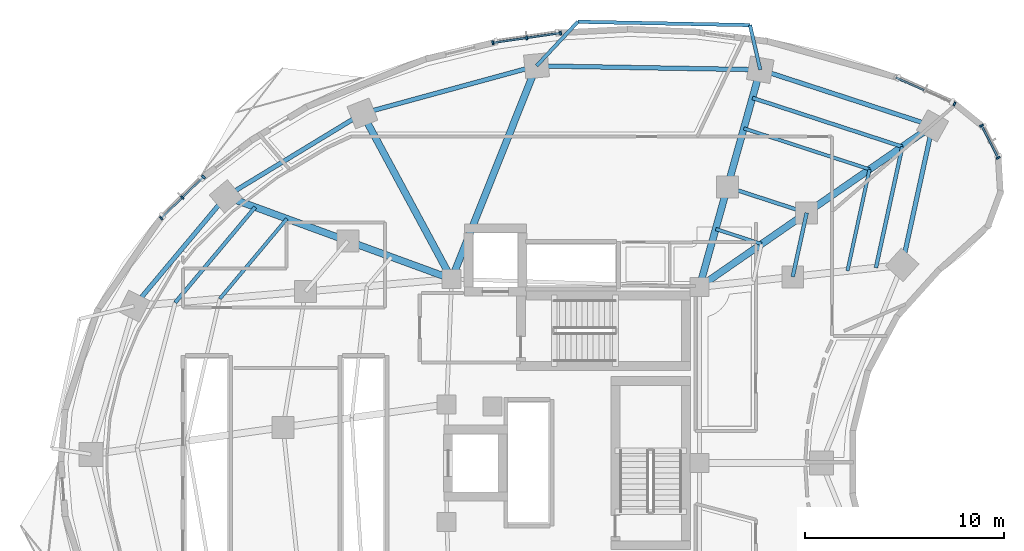
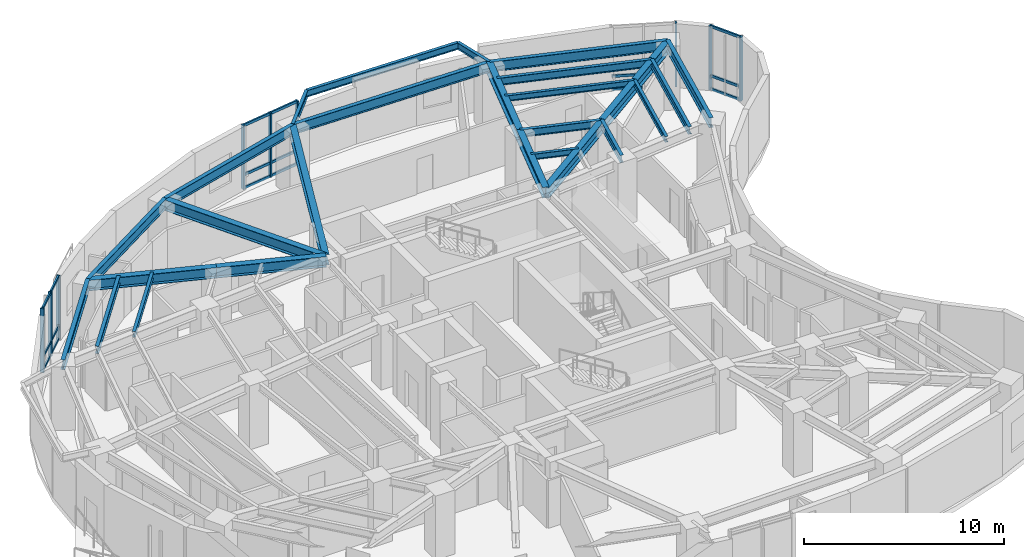
# One storey, part 4 of 13: 26 beams, 26 members, 4 elements without a shape of their own.
"""IFC4 building model written with IfcOpenShell, lengths in metres."""

from ifc_helpers import new_model, si_unit, direction, frame, origin, origin_2d, place, context, subcontext, project, spatial, rectangle, i_section, extrude, material, layer, layer_set, material_profile, profile_set, type_object, element, aggregate, save


model = new_model("IFC4")

# Units and contexts
model_context = context("Model", 3, precision=1e-05, world=origin(), true_north=direction((0.0, 1.0)))
body_context = subcontext(model_context, "Body", "Model", "MODEL_VIEW")
ifc_project = project(units=[si_unit("LENGTHUNIT", "METRE"), si_unit("AREAUNIT", "SQUARE_METRE"), si_unit("VOLUMEUNIT", "CUBIC_METRE"), si_unit("PLANEANGLEUNIT", "RADIAN"), si_unit("MASSUNIT", "GRAM", prefix="KILO")], contexts=[model_context])

# Site, building, storey
site_placement = place(None, origin())
site = spatial("IfcSite", under=ifc_project, at=site_placement, CompositionType="ELEMENT")
building_placement = place(site_placement, origin())
building = spatial("IfcBuilding", under=site, at=building_placement, Name="Korentha Bioscience Tower", CompositionType="ELEMENT")
storey_placement = place(building_placement, frame((0.0, 0.0, 106.800048828125)))
storey = spatial("IfcBuildingStorey", under=building, at=storey_placement, Name="L24", CompositionType="ELEMENT", Elevation=106.800048828125)

# Beams
ifc_material_1 = material(Name="Steel S355", Category="steel")
ifc_material_profile_1 = material_profile(ifc_material_1, i_section(OverallWidth=0.18994140625, OverallDepth=0.45703125, WebThickness=0.009033203125, FlangeThickness=0.014404296875, at=origin_2d()), Name="Steel S355")
ifc_profile_set_1 = profile_set([ifc_material_profile_1], Name="Steel S355 (MB-460)")
beam_type_1 = type_object("IfcBeamType", Name="Mid-Ring Tie Girder W460x74", PredefinedType="BEAM", material=ifc_profile_set_1)
beam_1_placement = place(storey_placement, frame((42.93603515625, 39.57470703125, 3.67138671875), z_axis=(-0.95087582253, 0.309572560361, 0.0), x_axis=(-0.309572560361, -0.95087582253, 0.0)))
element("IfcBeam", 1, at=beam_1_placement, inside=storey, type_object=beam_type_1, Name="L24 Mid-Ring Tie Girder 01", PredefinedType="BEAM", context=body_context, shape_type="SweptSolid", body=[
    extrude(i_section(OverallWidth=0.18994140625, OverallDepth=0.45703125, WebThickness=0.009033203125, FlangeThickness=0.014404296875, at=origin_2d()), origin(), (0.0, 0.0, 1.0), 4.186767578125),
])
beam_2_placement = place(storey_placement, frame((42.235595703125, 36.360595703125, 3.67138671875), z_axis=(0.212928773299, 0.977067724112, 0.0), x_axis=(-0.977067724112, 0.212928773299, 0.0)))
element("IfcBeam", 2, at=beam_2_placement, inside=storey, type_object=beam_type_1, Name="L24 Mid-Ring Tie Girder 16", PredefinedType="BEAM", context=body_context, shape_type="SweptSolid", body=[
    extrude(i_section(OverallWidth=0.18994140625, OverallDepth=0.45703125, WebThickness=0.009033203125, FlangeThickness=0.014404296875, at=origin_2d()), origin(), (0.0, 0.0, 1.0), 3.28955078125),
])

# Curtain wall, member
ifc_material_2 = material(Name="Thermally Broken Aluminium Frame", Category="aluminium")
ifc_layer = layer(ifc_material_2, 0.219970703125, Name="Thermally Broken Aluminium Frame")
ifc_layer_set = layer_set([ifc_layer], Name="Thermally Broken Aluminium Frame (CW-T2)")
curtain_wall_type = type_object("IfcCurtainWallType", Name="Solar-Screened Lab Unitised Curtain Wall CW-T2", PredefinedType="USERDEFINED", material=ifc_layer_set)
curtain_wall_1_placement = place(storey_placement, origin())
curtain_wall_1 = element("IfcCurtainWall", 3, at=curtain_wall_1_placement, inside=storey, type_object=curtain_wall_type, Name="L24 Curtain Wall 01", ObjectType="UNITISED", PredefinedType="USERDEFINED")
ifc_material_3 = material(Name="Anodised Aluminium 6063-T6", Category="aluminium")
ifc_material_profile_2 = material_profile(ifc_material_3, rectangle(XDim=0.090087890625, YDim=0.199951171875, at=origin_2d()), Name="Anodised Aluminium 6063-T6")
ifc_profile_set_2 = profile_set([ifc_material_profile_2], Name="Anodised Aluminium 6063-T6 (CW-MUL)")
member_type_1 = type_object("IfcMemberType", Name="Mullion RECT 90x200", PredefinedType="MULLION", material=ifc_profile_set_2)
member_1_placement = place(storey_placement, frame((50.364013671875, 45.0517578125, 0.0), z_axis=(0.0, 0.0, 1.0), x_axis=(-0.912686563127, 0.408660295952, 0.0)))
member_1 = element("IfcMember", 4, at=member_1_placement, type_object=member_type_1, Name="CW-L24-01 Mullion 1", PredefinedType="MULLION", context=body_context, shape_type="SweptSolid", body=[
    extrude(rectangle(XDim=0.090087890625, YDim=0.199951171875, at=origin_2d()), origin(), (0.0, 0.0, 1.0), 3.89990234375),
])

# Curtain wall, members
curtain_wall_2_placement = place(storey_placement, origin())
curtain_wall_2 = element("IfcCurtainWall", 5, at=curtain_wall_2_placement, inside=storey, type_object=curtain_wall_type, Name="L24 Curtain Wall 07", ObjectType="UNITISED", PredefinedType="USERDEFINED")
member_2_placement = place(storey_placement, frame((30.576416015625, 48.609375, 0.0), z_axis=(0.0, 0.0, 1.0), x_axis=(-0.989738282326, -0.14289203091, 0.0)))
member_2 = element("IfcMember", 6, at=member_2_placement, type_object=member_type_1, Name="CW-L24-07 Mullion 1", PredefinedType="MULLION", context=body_context, shape_type="SweptSolid", body=[
    extrude(rectangle(XDim=0.090087890625, YDim=0.199951171875, at=origin_2d()), origin(), (0.0, 0.0, 1.0), 3.89990234375),
])
member_3_placement = place(storey_placement, frame((28.873291015625, 48.363525390625, 0.0), z_axis=(0.0, 0.0, 1.0), x_axis=(-0.989738282326, -0.14289203091, 0.0)))
member_3 = element("IfcMember", 7, at=member_3_placement, type_object=member_type_1, Name="CW-L24-07 Mullion 2", PredefinedType="MULLION", context=body_context, shape_type="SweptSolid", body=[
    extrude(rectangle(XDim=0.090087890625, YDim=0.199951171875, at=origin_2d()), origin(), (0.0, 0.0, 1.0), 3.89990234375),
])
member_4_placement = place(storey_placement, frame((27.170166015625, 48.11767578125, 0.0), z_axis=(0.0, 0.0, 1.0), x_axis=(-0.989738282326, -0.14289203091, 0.0)))
member_4 = element("IfcMember", 8, at=member_4_placement, type_object=member_type_1, Name="CW-L24-07 Mullion 3", PredefinedType="MULLION", context=body_context, shape_type="SweptSolid", body=[
    extrude(rectangle(XDim=0.090087890625, YDim=0.199951171875, at=origin_2d()), origin(), (0.0, 0.0, 1.0), 3.89990234375),
])

curtain_wall_3_placement = place(storey_placement, origin())
curtain_wall_3 = element("IfcCurtainWall", 9, at=curtain_wall_3_placement, inside=storey, type_object=curtain_wall_type, Name="L24 Curtain Wall 13", ObjectType="UNITISED", PredefinedType="USERDEFINED")
member_5_placement = place(storey_placement, frame((12.631103515625, 41.377197265625, 0.0), z_axis=(0.0, 0.0, 1.0), x_axis=(-0.716095631804, -0.698002182025, 0.0)))
member_5 = element("IfcMember", 10, at=member_5_placement, type_object=member_type_1, Name="CW-L24-13 Mullion 1", PredefinedType="MULLION", context=body_context, shape_type="SweptSolid", body=[
    extrude(rectangle(XDim=0.090087890625, YDim=0.199951171875, at=origin_2d()), origin(), (0.0, 0.0, 1.0), 3.89990234375),
])
member_6_placement = place(storey_placement, frame((11.56689453125, 40.340087890625, 0.0), z_axis=(0.0, 0.0, 1.0), x_axis=(-0.716095631804, -0.698002182025, 0.0)))
member_6 = element("IfcMember", 11, at=member_6_placement, type_object=member_type_1, Name="CW-L24-13 Mullion 2", PredefinedType="MULLION", context=body_context, shape_type="SweptSolid", body=[
    extrude(rectangle(XDim=0.090087890625, YDim=0.199951171875, at=origin_2d()), origin(), (0.0, 0.0, 1.0), 3.89990234375),
])
member_7_placement = place(storey_placement, frame((10.5029296875, 39.302734375, 0.0), z_axis=(0.0, 0.0, 1.0), x_axis=(-0.716095631804, -0.698002182025, 0.0)))
member_7 = element("IfcMember", 12, at=member_7_placement, type_object=member_type_1, Name="CW-L24-13 Mullion 3", PredefinedType="MULLION", context=body_context, shape_type="SweptSolid", body=[
    extrude(rectangle(XDim=0.090087890625, YDim=0.199951171875, at=origin_2d()), origin(), (0.0, 0.0, 1.0), 3.89990234375),
])

curtain_wall_4_placement = place(storey_placement, origin())
curtain_wall_4 = element("IfcCurtainWall", 13, at=curtain_wall_4_placement, inside=storey, type_object=curtain_wall_type, Name="L24 Curtain Wall 61", ObjectType="UNITISED", PredefinedType="USERDEFINED")
member_8_placement = place(storey_placement, frame((52.55859375, 42.337158203125, 0.0), z_axis=(0.0, 0.0, 1.0), x_axis=(-0.457613117169, 0.889151412862, 0.0)))
member_8 = element("IfcMember", 14, at=member_8_placement, type_object=member_type_1, Name="CW-L24-61 Mullion 1", PredefinedType="MULLION", context=body_context, shape_type="SweptSolid", body=[
    extrude(rectangle(XDim=0.090087890625, YDim=0.199951171875, at=origin_2d()), origin(), (0.0, 0.0, 1.0), 3.89990234375),
])
member_9_placement = place(storey_placement, frame((51.722412109375, 43.962158203125, 0.0), z_axis=(0.0, 0.0, 1.0), x_axis=(-0.457613117169, 0.889151412862, 0.0)))
member_9 = element("IfcMember", 15, at=member_9_placement, type_object=member_type_1, Name="CW-L24-61 Mullion 2", PredefinedType="MULLION", context=body_context, shape_type="SweptSolid", body=[
    extrude(rectangle(XDim=0.090087890625, YDim=0.199951171875, at=origin_2d()), origin(), (0.0, 0.0, 1.0), 3.89990234375),
])

# Beams
ifc_material_profile_3 = material_profile(ifc_material_1, i_section(OverallWidth=0.22802734375, OverallDepth=0.60791015625, WebThickness=0.01123046875, FlangeThickness=0.017333984375, at=origin_2d()), Name="Steel S355")
ifc_profile_set_3 = profile_set([ifc_material_profile_3], Name="Steel S355 (SB-610)")
beam_type_2 = type_object("IfcBeamType", Name="Perimeter Ring Spandrel Girder W610x113", PredefinedType="SPANDREL", material=ifc_profile_set_3)
beam_3_placement = place(storey_placement, frame((49.2587890625, 43.947021484375, 3.595947265625), z_axis=(-0.950867758759, 0.309597327755, 0.0), x_axis=(-0.309597327755, -0.950867758759, 0.0)))
element("IfcBeam", 16, at=beam_3_placement, inside=storey, type_object=beam_type_2, Name="L24 Perimeter Spandrel Girder 01", PredefinedType="SPANDREL", context=body_context, shape_type="SweptSolid", body=[
    extrude(i_section(OverallWidth=0.22802734375, OverallDepth=0.60791015625, WebThickness=0.01123046875, FlangeThickness=0.017333984375, at=origin_2d()), origin(), (0.0, 0.0, 1.0), 9.101806640625),
])
beam_4_placement = place(storey_placement, frame((40.604248046875, 46.764892578125, 3.595947265625), z_axis=(-0.999850566826, 0.017287105523, 0.0), x_axis=(-0.017287105523, -0.999850566826, 0.0)))
element("IfcBeam", 17, at=beam_4_placement, inside=storey, type_object=beam_type_2, Name="L24 Perimeter Spandrel Girder 02", PredefinedType="SPANDREL", context=body_context, shape_type="SweptSolid", body=[
    extrude(i_section(OverallWidth=0.22802734375, OverallDepth=0.60791015625, WebThickness=0.01123046875, FlangeThickness=0.017333984375, at=origin_2d()), origin(), (0.0, 0.0, 1.0), 11.24169921875),
])
beam_5_placement = place(storey_placement, frame((29.3642578125, 46.959228515625, 3.595947265625), z_axis=(-0.964659386444, -0.263500034431, 0.0), x_axis=(0.263500034431, -0.964659386444, 0.0)))
element("IfcBeam", 18, at=beam_5_placement, inside=storey, type_object=beam_type_2, Name="L24 Perimeter Spandrel Girder 03", PredefinedType="SPANDREL", context=body_context, shape_type="SweptSolid", body=[
    extrude(i_section(OverallWidth=0.22802734375, OverallDepth=0.60791015625, WebThickness=0.01123046875, FlangeThickness=0.017333984375, at=origin_2d()), origin(), (0.0, 0.0, 1.0), 9.06982421875),
])
beam_6_placement = place(storey_placement, frame((20.614990234375, 44.5693359375, 3.595947265625), z_axis=(-0.854461040474, -0.51951547649, 0.0), x_axis=(0.51951547649, -0.854461040474, 0.0)))
element("IfcBeam", 19, at=beam_6_placement, inside=storey, type_object=beam_type_2, Name="L24 Perimeter Spandrel Girder 04", PredefinedType="SPANDREL", context=body_context, shape_type="SweptSolid", body=[
    extrude(i_section(OverallWidth=0.22802734375, OverallDepth=0.60791015625, WebThickness=0.01123046875, FlangeThickness=0.017333984375, at=origin_2d()), origin(), (0.0, 0.0, 1.0), 8.025146484375),
])
beam_7_placement = place(storey_placement, frame((13.7578125, 40.400146484375, 3.595947265625), z_axis=(-0.642126556076, -0.76659864726, 0.0), x_axis=(0.76659864726, -0.642126556076, 0.0)))
element("IfcBeam", 20, at=beam_7_placement, inside=storey, type_object=beam_type_2, Name="L24 Perimeter Spandrel Girder 05", PredefinedType="SPANDREL", context=body_context, shape_type="SweptSolid", body=[
    extrude(i_section(OverallWidth=0.22802734375, OverallDepth=0.60791015625, WebThickness=0.01123046875, FlangeThickness=0.017333984375, at=origin_2d()), origin(), (0.0, 0.0, 1.0), 7.1884765625),
])
beam_8_placement = place(storey_placement, frame((47.736083984375, 36.959716796875, 3.595947265625), z_axis=(0.212927102256, 0.977068088275, 0.0), x_axis=(-0.977068088275, 0.212927102256, 0.0)))
element("IfcBeam", 21, at=beam_8_placement, inside=storey, type_object=beam_type_2, Name="L24 Perimeter Spandrel Girder 16", PredefinedType="SPANDREL", context=body_context, shape_type="SweptSolid", body=[
    extrude(i_section(OverallWidth=0.22802734375, OverallDepth=0.60791015625, WebThickness=0.01123046875, FlangeThickness=0.017333984375, at=origin_2d()), origin(), (0.0, 0.0, 1.0), 7.1513671875),
])
ifc_material_profile_4 = material_profile(ifc_material_1, i_section(OverallWidth=0.18994140625, OverallDepth=0.45703125, WebThickness=0.009033203125, FlangeThickness=0.014404296875, at=origin_2d()), Name="Steel S355")
ifc_profile_set_4 = profile_set([ifc_material_profile_4], Name="Steel S355 (RB-460)")
beam_type_3 = type_object("IfcBeamType", Name="Radial Laboratory Beam W460x74", PredefinedType="BEAM", material=ifc_profile_set_4)
beam_9_placement = place(storey_placement, frame((47.7412109375, 42.8974609375, 3.67138671875), z_axis=(-0.950866789802, 0.3096003037, 0.0), x_axis=(-0.3096003037, -0.950866789802, 0.0)))
element("IfcBeam", 22, at=beam_9_placement, inside=storey, type_object=beam_type_3, Name="L24 Secondary Floor Beam JSTO-01", PredefinedType="BEAM", context=body_context, shape_type="SweptSolid", body=[
    extrude(i_section(OverallWidth=0.18994140625, OverallDepth=0.45703125, WebThickness=0.009033203125, FlangeThickness=0.014404296875, at=origin_2d()), origin(), (0.0, 0.0, 1.0), 7.921875),
])
beam_10_placement = place(storey_placement, frame((15.227783203125, 39.8623046875, 3.67138671875), z_axis=(-0.642128156066, -0.766597307057, 0.0), x_axis=(0.766597307057, -0.642128156066, 0.0)))
element("IfcBeam", 23, at=beam_10_placement, inside=storey, type_object=beam_type_3, Name="L24 Secondary Floor Beam JSTO-05", PredefinedType="BEAM", context=body_context, shape_type="SweptSolid", body=[
    extrude(i_section(OverallWidth=0.18994140625, OverallDepth=0.45703125, WebThickness=0.009033203125, FlangeThickness=0.014404296875, at=origin_2d()), origin(), (0.0, 0.0, 1.0), 6.257080078125),
])
beam_11_placement = place(storey_placement, frame((46.416015625, 36.81591796875, 3.67138671875), z_axis=(0.21290837934, 0.977072168269, 0.0), x_axis=(-0.977072168269, 0.21290837934, 0.0)))
element("IfcBeam", 24, at=beam_11_placement, inside=storey, type_object=beam_type_3, Name="L24 Secondary Floor Beam JSTO-16", PredefinedType="BEAM", context=body_context, shape_type="SweptSolid", body=[
    extrude(i_section(OverallWidth=0.18994140625, OverallDepth=0.45703125, WebThickness=0.009033203125, FlangeThickness=0.014404296875, at=origin_2d()), origin(), (0.0, 0.0, 1.0), 6.224365234375),
])
ifc_material_profile_5 = material_profile(ifc_material_1, i_section(OverallWidth=0.35009765625, OverallDepth=0.64990234375, WebThickness=0.01611328125, FlangeThickness=0.02490234375, at=origin_2d()), Name="Steel S355")
ifc_profile_set_5 = profile_set([ifc_material_profile_5], Name="Steel S355 (RB-650)")
beam_type_4 = type_object("IfcBeamType", Name="Radial Laboratory Girder CVS 650x208", PredefinedType="BEAM", material=ifc_profile_set_5)
beam_12_placement = place(storey_placement, frame((37.550048828125, 35.85009765625, 3.574951171875), z_axis=(0.822488699387, 0.568781451333, 0.0), x_axis=(-0.568781451333, 0.822488699387, 0.0)))
element("IfcBeam", 25, at=beam_12_placement, inside=storey, type_object=beam_type_4, Name="L24 Inner Radial Girder 01", PredefinedType="BEAM", context=body_context, shape_type="SweptSolid", body=[
    extrude(i_section(OverallWidth=0.35009765625, OverallDepth=0.64990234375, WebThickness=0.01611328125, FlangeThickness=0.02490234375, at=origin_2d()), origin(), (0.0, 0.0, 1.0), 6.54833984375),
])
beam_13_placement = place(storey_placement, frame((42.93603515625, 39.57470703125, 3.574951171875), z_axis=(0.822495056204, 0.568772258922, 0.0), x_axis=(-0.568772258922, 0.822495056204, 0.0)))
element("IfcBeam", 26, at=beam_13_placement, inside=storey, type_object=beam_type_4, Name="L24 Outer Radial Girder 01", PredefinedType="BEAM", context=body_context, shape_type="SweptSolid", body=[
    extrude(i_section(OverallWidth=0.35009765625, OverallDepth=0.64990234375, WebThickness=0.01611328125, FlangeThickness=0.02490234375, at=origin_2d()), origin(), (0.0, 0.0, 1.0), 7.687255859375),
])
beam_14_placement = place(storey_placement, frame((37.550048828125, 35.85009765625, 3.574951171875), z_axis=(0.269447542125, 0.96301506844, 0.0), x_axis=(-0.96301506844, 0.269447542125, 0.0)))
element("IfcBeam", 27, at=beam_14_placement, inside=storey, type_object=beam_type_4, Name="L24 Inner Radial Girder 02", PredefinedType="BEAM", context=body_context, shape_type="SweptSolid", body=[
    extrude(i_section(OverallWidth=0.35009765625, OverallDepth=0.64990234375, WebThickness=0.01611328125, FlangeThickness=0.02490234375, at=origin_2d()), origin(), (0.0, 0.0, 1.0), 5.213623046875),
])
beam_15_placement = place(storey_placement, frame((38.954833984375, 40.870849609375, 3.574951171875), z_axis=(0.269490843458, 0.963002951861, 0.0), x_axis=(-0.963002951861, 0.269490843458, 0.0)))
element("IfcBeam", 28, at=beam_15_placement, inside=storey, type_object=beam_type_4, Name="L24 Outer Radial Girder 02", PredefinedType="BEAM", context=body_context, shape_type="SweptSolid", body=[
    extrude(i_section(OverallWidth=0.35009765625, OverallDepth=0.64990234375, WebThickness=0.01611328125, FlangeThickness=0.02490234375, at=origin_2d()), origin(), (0.0, 0.0, 1.0), 6.120361328125),
])
beam_16_placement = place(storey_placement, frame((25.10009765625, 36.25, 3.574951171875), z_axis=(0.369929528493, 0.929059817207, 0.0), x_axis=(-0.929059817207, 0.369929528493, 0.0)))
element("IfcBeam", 29, at=beam_16_placement, inside=storey, type_object=beam_type_4, Name="L24 Radial Girder 03", PredefinedType="BEAM", context=body_context, shape_type="SweptSolid", body=[
    extrude(i_section(OverallWidth=0.35009765625, OverallDepth=0.64990234375, WebThickness=0.01611328125, FlangeThickness=0.02490234375, at=origin_2d()), origin(), (0.0, 0.0, 1.0), 11.52685546875),
])
beam_17_placement = place(storey_placement, frame((25.10009765625, 36.25, 3.574951171875), z_axis=(-0.474548018732, 0.880229616587, 0.0), x_axis=(-0.880229616587, -0.474548018732, 0.0)))
element("IfcBeam", 30, at=beam_17_placement, inside=storey, type_object=beam_type_4, Name="L24 Radial Girder 04", PredefinedType="BEAM", context=body_context, shape_type="SweptSolid", body=[
    extrude(i_section(OverallWidth=0.35009765625, OverallDepth=0.64990234375, WebThickness=0.01611328125, FlangeThickness=0.02490234375, at=origin_2d()), origin(), (0.0, 0.0, 1.0), 9.451416015625),
])
beam_18_placement = place(storey_placement, frame((25.10009765625, 36.25, 3.574951171875), z_axis=(-0.939118010396, 0.343594765022, 0.0), x_axis=(-0.343594765022, -0.939118010396, 0.0)))
element("IfcBeam", 31, at=beam_18_placement, inside=storey, type_object=beam_type_4, Name="L24 Inner Radial Girder 05", PredefinedType="BEAM", context=body_context, shape_type="SweptSolid", body=[
    extrude(i_section(OverallWidth=0.35009765625, OverallDepth=0.64990234375, WebThickness=0.01611328125, FlangeThickness=0.02490234375, at=origin_2d()), origin(), (0.0, 0.0, 1.0), 5.5556640625),
])
beam_19_placement = place(storey_placement, frame((19.882568359375, 38.158935546875, 3.574951171875), z_axis=(-0.939100755225, 0.343641923425, 0.0), x_axis=(-0.343641923425, -0.939100755225, 0.0)))
element("IfcBeam", 32, at=beam_19_placement, inside=storey, type_object=beam_type_4, Name="L24 Outer Radial Girder 05", PredefinedType="BEAM", context=body_context, shape_type="SweptSolid", body=[
    extrude(i_section(OverallWidth=0.35009765625, OverallDepth=0.64990234375, WebThickness=0.01611328125, FlangeThickness=0.02490234375, at=origin_2d()), origin(), (0.0, 0.0, 1.0), 6.52197265625),
])
ifc_material_profile_6 = material_profile(ifc_material_1, i_section(OverallWidth=0.1708984375, OverallDepth=0.35498046875, WebThickness=0.007080078125, FlangeThickness=0.01171875, at=origin_2d()), Name="Steel S355")
ifc_profile_set_6 = profile_set([ifc_material_profile_6], Name="Steel S355 (JB-360)")
beam_type_5 = type_object("IfcBeamType", Name="Secondary Laboratory Joist W360x51", PredefinedType="JOIST", material=ifc_profile_set_6)
beam_20_placement = place(storey_placement, frame((46.097412109375, 41.7607421875, 3.722412109375), z_axis=(-0.950864890997, 0.309606135387, 0.0), x_axis=(-0.309606135387, -0.950864890997, 0.0)))
element("IfcBeam", 33, at=beam_20_placement, inside=storey, type_object=beam_type_5, Name="L24 Secondary Floor Beam JST-01", PredefinedType="JOIST", context=body_context, shape_type="SweptSolid", body=[
    extrude(i_section(OverallWidth=0.1708984375, OverallDepth=0.35498046875, WebThickness=0.007080078125, FlangeThickness=0.01171875, at=origin_2d()), origin(), (0.0, 0.0, 1.0), 6.644287109375),
])
beam_21_placement = place(storey_placement, frame((40.673828125, 38.01025390625, 3.722412109375), z_axis=(-0.950852158547, 0.30964523666, 0.0), x_axis=(-0.30964523666, -0.950852158547, 0.0)))
element("IfcBeam", 34, at=beam_21_placement, inside=storey, type_object=beam_type_5, Name="L24 Inner Bay Joist 01", PredefinedType="JOIST", context=body_context, shape_type="SweptSolid", body=[
    extrude(i_section(OverallWidth=0.1708984375, OverallDepth=0.35498046875, WebThickness=0.007080078125, FlangeThickness=0.01171875, at=origin_2d()), origin(), (0.0, 0.0, 1.0), 2.428466796875),
])
beam_22_placement = place(storey_placement, frame((16.8203125, 39.279541015625, 3.722412109375), z_axis=(-0.642140812018, -0.76658670582, 0.0), x_axis=(0.76658670582, -0.642140812018, 0.0)))
element("IfcBeam", 35, at=beam_22_placement, inside=storey, type_object=beam_type_5, Name="L24 Secondary Floor Beam JST-05", PredefinedType="JOIST", context=body_context, shape_type="SweptSolid", body=[
    extrude(i_section(OverallWidth=0.1708984375, OverallDepth=0.35498046875, WebThickness=0.007080078125, FlangeThickness=0.01171875, at=origin_2d()), origin(), (0.0, 0.0, 1.0), 5.247802734375),
])
beam_23_placement = place(storey_placement, frame((44.98583984375, 36.66015625, 3.722412109375), z_axis=(0.212932493609, 0.977066913351, 0.0), x_axis=(-0.977066913351, 0.212932493609, 0.0)))
element("IfcBeam", 36, at=beam_23_placement, inside=storey, type_object=beam_type_5, Name="L24 Secondary Floor Beam JST-16", PredefinedType="JOIST", context=body_context, shape_type="SweptSolid", body=[
    extrude(i_section(OverallWidth=0.1708984375, OverallDepth=0.35498046875, WebThickness=0.007080078125, FlangeThickness=0.01171875, at=origin_2d()), origin(), (0.0, 0.0, 1.0), 5.22021484375),
])
ifc_material_profile_7 = material_profile(ifc_material_1, i_section(OverallWidth=0.177978515625, OverallDepth=0.406982421875, WebThickness=0.0078125, FlangeThickness=0.0126953125, at=origin_2d()), Name="Steel S355")
ifc_profile_set_7 = profile_set([ifc_material_profile_7], Name="Steel S355 (CB-410)")
beam_type_6 = type_object("IfcBeamType", Name="Sun-Ledge Cantilever Beam W410x60", PredefinedType="BEAM", material=ifc_profile_set_7)
beam_24_placement = place(storey_placement, frame((40.604248046875, 46.764892578125, 3.698486328125), z_axis=(-0.223355143681, 0.974737133688, 0.0), x_axis=(-0.974737133688, -0.223355143681, 0.0)))
element("IfcBeam", 37, at=beam_24_placement, inside=storey, type_object=beam_type_6, Name="L24 Balcony Cantilever Bracket A-L25-01", PredefinedType="BEAM", context=body_context, shape_type="SweptSolid", body=[
    extrude(i_section(OverallWidth=0.177978515625, OverallDepth=0.406982421875, WebThickness=0.0078125, FlangeThickness=0.0126953125, at=origin_2d()), origin(), (0.0, 0.0, 1.0), 2.2998046875),
])
beam_25_placement = place(storey_placement, frame((29.3642578125, 46.959228515625, 3.698486328125), z_axis=(0.683612079986, 0.729845548111, 0.0), x_axis=(-0.729845548111, 0.683612079986, 0.0)))
element("IfcBeam", 38, at=beam_25_placement, inside=storey, type_object=beam_type_6, Name="L24 Balcony Cantilever Bracket B-L25-01", PredefinedType="BEAM", context=body_context, shape_type="SweptSolid", body=[
    extrude(i_section(OverallWidth=0.177978515625, OverallDepth=0.406982421875, WebThickness=0.0078125, FlangeThickness=0.0126953125, at=origin_2d()), origin(), (0.0, 0.0, 1.0), 3.036376953125),
])
beam_26_placement = place(storey_placement, frame((40.090576171875, 49.006591796875, 3.698486328125), z_axis=(-0.999809898127, 0.019497887269, 0.0), x_axis=(-0.019497887269, -0.999809898127, 0.0)))
element("IfcBeam", 39, at=beam_26_placement, inside=storey, type_object=beam_type_6, Name="L24 Balcony Edge Trimmer Beam L25-01", PredefinedType="BEAM", context=body_context, shape_type="SweptSolid", body=[
    extrude(i_section(OverallWidth=0.177978515625, OverallDepth=0.406982421875, WebThickness=0.0078125, FlangeThickness=0.0126953125, at=origin_2d()), origin(), (0.0, 0.0, 1.0), 8.65234375),
])

# Member
ifc_material_profile_8 = material_profile(ifc_material_3, rectangle(XDim=0.090087890625, YDim=0.159912109375, at=origin_2d()), Name="Anodised Aluminium 6063-T6")
ifc_profile_set_8 = profile_set([ifc_material_profile_8], Name="Anodised Aluminium 6063-T6 (CW-TRN)")
member_type_2 = type_object("IfcMemberType", Name="Transom RECT 90x160", PredefinedType="USERDEFINED", material=ifc_profile_set_8)
member_10_placement = place(storey_placement, frame((48.830322265625, 45.738525390625, 0.044921875), z_axis=(-0.912667864607, 0.408702053962, 0.0), x_axis=(-0.408702053962, -0.912667864607, 0.0)))
member_10 = element("IfcMember", 40, at=member_10_placement, type_object=member_type_2, Name="CW-L24-01 Bay 2 Transom 1", ObjectType="TRANSOM", PredefinedType="USERDEFINED", context=body_context, shape_type="SweptSolid", body=[
    extrude(rectangle(XDim=0.090087890625, YDim=0.159912109375, at=origin_2d()), origin(), (0.0, 0.0, 1.0), 1.54541015625),
])

member_11_placement = place(storey_placement, frame((48.830322265625, 45.738525390625, 0.849853515625), z_axis=(-0.912667864607, 0.408702053962, 0.0), x_axis=(-0.408702053962, -0.912667864607, 0.0)))
member_11 = element("IfcMember", 41, at=member_11_placement, type_object=member_type_2, Name="CW-L24-01 Bay 2 Transom 2", ObjectType="TRANSOM", PredefinedType="USERDEFINED", context=body_context, shape_type="SweptSolid", body=[
    extrude(rectangle(XDim=0.090087890625, YDim=0.159912109375, at=origin_2d()), origin(), (0.0, 0.0, 1.0), 1.54541015625),
])

aggregate(curtain_wall_1, [member_1, member_10, member_11])

member_12_placement = place(storey_placement, frame((30.53173828125, 48.602783203125, 0.044921875), z_axis=(-0.989747883164, -0.142825515132, 0.0), x_axis=(0.142825515132, -0.989747883164, 0.0)))
member_12 = element("IfcMember", 42, at=member_12_placement, type_object=member_type_2, Name="CW-L24-07 Bay 1 Transom 1", ObjectType="TRANSOM", PredefinedType="USERDEFINED", context=body_context, shape_type="SweptSolid", body=[
    extrude(rectangle(XDim=0.090087890625, YDim=0.159912109375, at=origin_2d()), origin(), (0.0, 0.0, 1.0), 1.630615234375),
])

member_13_placement = place(storey_placement, frame((30.53173828125, 48.602783203125, 0.849853515625), z_axis=(-0.989747883164, -0.142825515132, 0.0), x_axis=(0.142825515132, -0.989747883164, 0.0)))
member_13 = element("IfcMember", 43, at=member_13_placement, type_object=member_type_2, Name="CW-L24-07 Bay 1 Transom 2", ObjectType="TRANSOM", PredefinedType="USERDEFINED", context=body_context, shape_type="SweptSolid", body=[
    extrude(rectangle(XDim=0.090087890625, YDim=0.159912109375, at=origin_2d()), origin(), (0.0, 0.0, 1.0), 1.630615234375),
])

member_14_placement = place(storey_placement, frame((30.53173828125, 48.602783203125, 3.85498046875), z_axis=(-0.989747883164, -0.142825515132, 0.0), x_axis=(0.142825515132, -0.989747883164, 0.0)))
member_14 = element("IfcMember", 44, at=member_14_placement, type_object=member_type_2, Name="CW-L24-07 Bay 1 Transom 3", ObjectType="TRANSOM", PredefinedType="USERDEFINED", context=body_context, shape_type="SweptSolid", body=[
    extrude(rectangle(XDim=0.090087890625, YDim=0.159912109375, at=origin_2d()), origin(), (0.0, 0.0, 1.0), 1.630615234375),
])

member_15_placement = place(storey_placement, frame((28.82861328125, 48.357177734375, 0.044921875), z_axis=(-0.989723648346, -0.142993356153, 0.0), x_axis=(0.142993356153, -0.989723648346, 0.0)))
member_15 = element("IfcMember", 45, at=member_15_placement, type_object=member_type_2, Name="CW-L24-07 Bay 2 Transom 1", ObjectType="TRANSOM", PredefinedType="USERDEFINED", context=body_context, shape_type="SweptSolid", body=[
    extrude(rectangle(XDim=0.090087890625, YDim=0.159912109375, at=origin_2d()), origin(), (0.0, 0.0, 1.0), 1.630615234375),
])

member_16_placement = place(storey_placement, frame((28.82861328125, 48.357177734375, 0.849853515625), z_axis=(-0.989723648346, -0.142993356153, 0.0), x_axis=(0.142993356153, -0.989723648346, 0.0)))
member_16 = element("IfcMember", 46, at=member_16_placement, type_object=member_type_2, Name="CW-L24-07 Bay 2 Transom 2", ObjectType="TRANSOM", PredefinedType="USERDEFINED", context=body_context, shape_type="SweptSolid", body=[
    extrude(rectangle(XDim=0.090087890625, YDim=0.159912109375, at=origin_2d()), origin(), (0.0, 0.0, 1.0), 1.630615234375),
])

member_17_placement = place(storey_placement, frame((28.82861328125, 48.357177734375, 3.85498046875), z_axis=(-0.989723648346, -0.142993356153, 0.0), x_axis=(0.142993356153, -0.989723648346, 0.0)))
member_17 = element("IfcMember", 47, at=member_17_placement, type_object=member_type_2, Name="CW-L24-07 Bay 2 Transom 3", ObjectType="TRANSOM", PredefinedType="USERDEFINED", context=body_context, shape_type="SweptSolid", body=[
    extrude(rectangle(XDim=0.090087890625, YDim=0.159912109375, at=origin_2d()), origin(), (0.0, 0.0, 1.0), 1.630615234375),
])

aggregate(curtain_wall_2, [member_2, member_3, member_4, member_12, member_13, member_14, member_15, member_16, member_17])

member_18_placement = place(storey_placement, frame((12.598876953125, 41.345703125, 0.044921875), z_axis=(-0.716142170971, -0.697954433296, 0.0), x_axis=(0.697954433296, -0.716142170971, 0.0)))
member_18 = element("IfcMember", 48, at=member_18_placement, type_object=member_type_2, Name="CW-L24-13 Bay 1 Transom 1", ObjectType="TRANSOM", PredefinedType="USERDEFINED", context=body_context, shape_type="SweptSolid", body=[
    extrude(rectangle(XDim=0.090087890625, YDim=0.159912109375, at=origin_2d()), origin(), (0.0, 0.0, 1.0), 1.39599609375),
])

member_19_placement = place(storey_placement, frame((12.598876953125, 41.345703125, 0.849853515625), z_axis=(-0.716142170971, -0.697954433296, 0.0), x_axis=(0.697954433296, -0.716142170971, 0.0)))
member_19 = element("IfcMember", 49, at=member_19_placement, type_object=member_type_2, Name="CW-L24-13 Bay 1 Transom 2", ObjectType="TRANSOM", PredefinedType="USERDEFINED", context=body_context, shape_type="SweptSolid", body=[
    extrude(rectangle(XDim=0.090087890625, YDim=0.159912109375, at=origin_2d()), origin(), (0.0, 0.0, 1.0), 1.39599609375),
])

member_20_placement = place(storey_placement, frame((12.598876953125, 41.345703125, 3.85498046875), z_axis=(-0.716142170971, -0.697954433296, 0.0), x_axis=(0.697954433296, -0.716142170971, 0.0)))
member_20 = element("IfcMember", 50, at=member_20_placement, type_object=member_type_2, Name="CW-L24-13 Bay 1 Transom 3", ObjectType="TRANSOM", PredefinedType="USERDEFINED", context=body_context, shape_type="SweptSolid", body=[
    extrude(rectangle(XDim=0.090087890625, YDim=0.159912109375, at=origin_2d()), origin(), (0.0, 0.0, 1.0), 1.39599609375),
])

member_21_placement = place(storey_placement, frame((11.534912109375, 40.30859375, 0.044921875), z_axis=(-0.716142170971, -0.697954433296, 0.0), x_axis=(0.697954433296, -0.716142170971, 0.0)))
member_21 = element("IfcMember", 51, at=member_21_placement, type_object=member_type_2, Name="CW-L24-13 Bay 2 Transom 1", ObjectType="TRANSOM", PredefinedType="USERDEFINED", context=body_context, shape_type="SweptSolid", body=[
    extrude(rectangle(XDim=0.090087890625, YDim=0.159912109375, at=origin_2d()), origin(), (0.0, 0.0, 1.0), 1.39599609375),
])

member_22_placement = place(storey_placement, frame((11.534912109375, 40.30859375, 0.849853515625), z_axis=(-0.716142170971, -0.697954433296, 0.0), x_axis=(0.697954433296, -0.716142170971, 0.0)))
member_22 = element("IfcMember", 52, at=member_22_placement, type_object=member_type_2, Name="CW-L24-13 Bay 2 Transom 2", ObjectType="TRANSOM", PredefinedType="USERDEFINED", context=body_context, shape_type="SweptSolid", body=[
    extrude(rectangle(XDim=0.090087890625, YDim=0.159912109375, at=origin_2d()), origin(), (0.0, 0.0, 1.0), 1.39599609375),
])

member_23_placement = place(storey_placement, frame((11.534912109375, 40.30859375, 3.85498046875), z_axis=(-0.716142170971, -0.697954433296, 0.0), x_axis=(0.697954433296, -0.716142170971, 0.0)))
member_23 = element("IfcMember", 53, at=member_23_placement, type_object=member_type_2, Name="CW-L24-13 Bay 2 Transom 3", ObjectType="TRANSOM", PredefinedType="USERDEFINED", context=body_context, shape_type="SweptSolid", body=[
    extrude(rectangle(XDim=0.090087890625, YDim=0.159912109375, at=origin_2d()), origin(), (0.0, 0.0, 1.0), 1.39599609375),
])

aggregate(curtain_wall_3, [member_5, member_6, member_7, member_18, member_19, member_20, member_21, member_22, member_23])

member_24_placement = place(storey_placement, frame((52.5380859375, 42.377197265625, 0.044921875), z_axis=(-0.457636897633, 0.889139173541, 0.0), x_axis=(-0.889139173541, -0.457636897633, 0.0)))
member_24 = element("IfcMember", 54, at=member_24_placement, type_object=member_type_2, Name="CW-L24-61 Bay 1 Transom 1", ObjectType="TRANSOM", PredefinedType="USERDEFINED", context=body_context, shape_type="SweptSolid", body=[
    extrude(rectangle(XDim=0.090087890625, YDim=0.159912109375, at=origin_2d()), origin(), (0.0, 0.0, 1.0), 1.737548828125),
])

member_25_placement = place(storey_placement, frame((52.5380859375, 42.377197265625, 0.849853515625), z_axis=(-0.457636897633, 0.889139173541, 0.0), x_axis=(-0.889139173541, -0.457636897633, 0.0)))
member_25 = element("IfcMember", 55, at=member_25_placement, type_object=member_type_2, Name="CW-L24-61 Bay 1 Transom 2", ObjectType="TRANSOM", PredefinedType="USERDEFINED", context=body_context, shape_type="SweptSolid", body=[
    extrude(rectangle(XDim=0.090087890625, YDim=0.159912109375, at=origin_2d()), origin(), (0.0, 0.0, 1.0), 1.737548828125),
])

member_26_placement = place(storey_placement, frame((52.5380859375, 42.377197265625, 3.85498046875), z_axis=(-0.457636897633, 0.889139173541, 0.0), x_axis=(-0.889139173541, -0.457636897633, 0.0)))
member_26 = element("IfcMember", 56, at=member_26_placement, type_object=member_type_2, Name="CW-L24-61 Bay 1 Transom 3", ObjectType="TRANSOM", PredefinedType="USERDEFINED", context=body_context, shape_type="SweptSolid", body=[
    extrude(rectangle(XDim=0.090087890625, YDim=0.159912109375, at=origin_2d()), origin(), (0.0, 0.0, 1.0), 1.737548828125),
])

aggregate(curtain_wall_4, [member_8, member_9, member_24, member_25, member_26])

save(model, "model.ifc")
